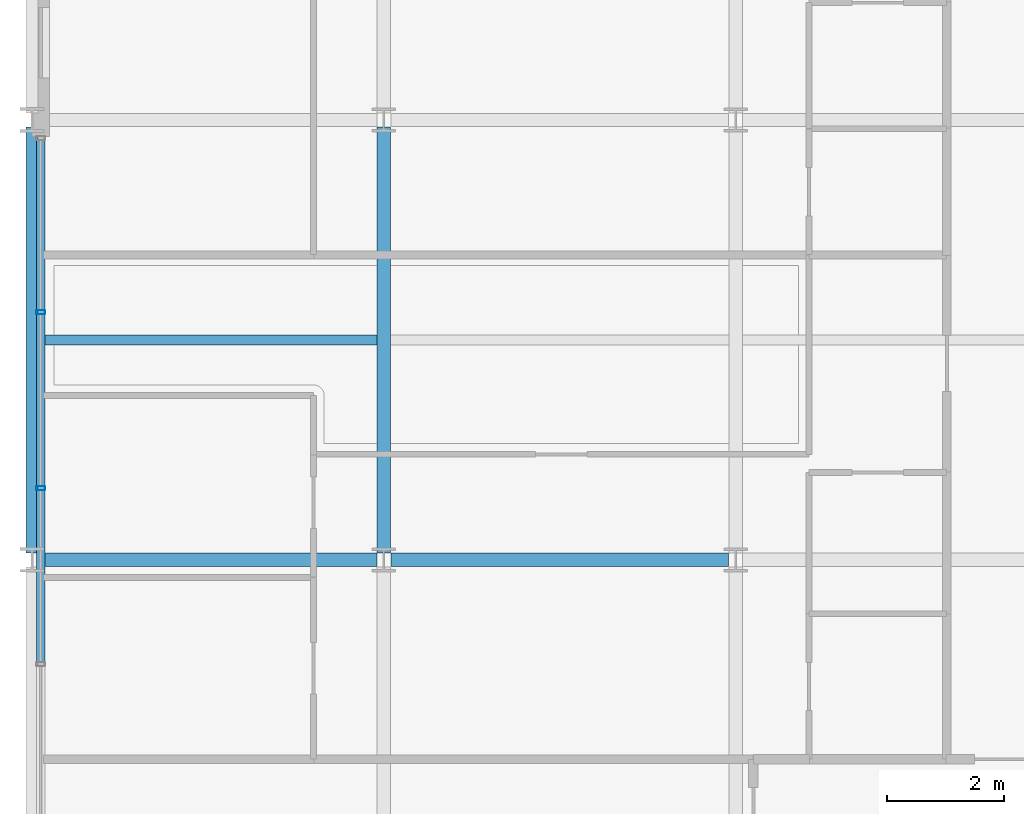
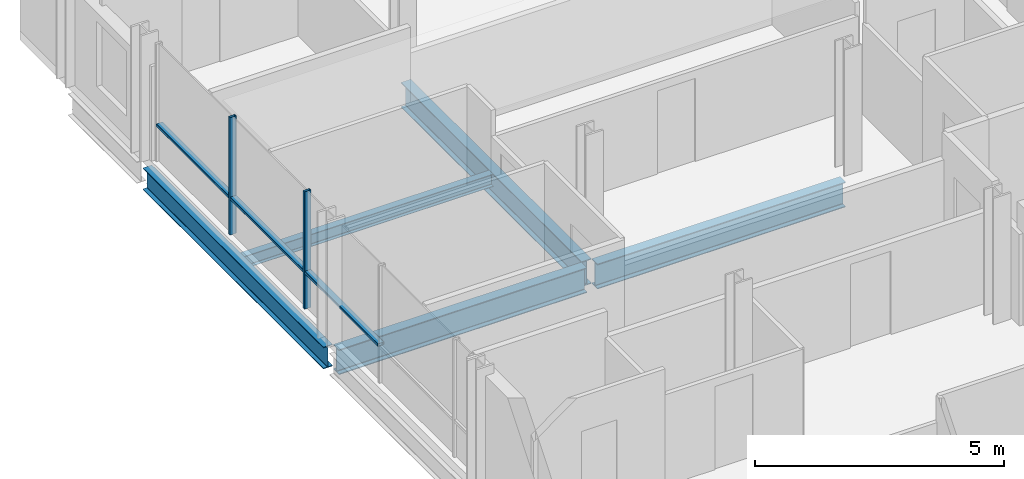
# One storey, part 7 of 41: 5 beams, 5 members, 1 element without a shape of its own.
"""IFC4 building model written with IfcOpenShell, lengths in metres."""

from ifc_helpers import new_model, si_unit, direction, frame, origin, origin_2d, place, context, subcontext, project, spatial, hollow_rectangle, i_section, extrude, material, layer, layer_set, material_profile, profile_set, type_object, element, aggregate, save


model = new_model("IFC4")

# Units and contexts
model_context = context("Model", 3, precision=1e-05, world=origin(), true_north=direction((0.0, 1.0)))
body_context = subcontext(model_context, "Body", "Model", "MODEL_VIEW")
ifc_project = project(units=[si_unit("LENGTHUNIT", "METRE"), si_unit("AREAUNIT", "SQUARE_METRE"), si_unit("VOLUMEUNIT", "CUBIC_METRE"), si_unit("PLANEANGLEUNIT", "RADIAN"), si_unit("MASSUNIT", "GRAM", prefix="KILO")], contexts=[model_context])

# Site, building, storey
site_placement = place(None, origin())
site = spatial("IfcSite", under=ifc_project, at=site_placement, CompositionType="ELEMENT")
building_placement = place(site_placement, origin())
building = spatial("IfcBuilding", under=site, at=building_placement, Name="Brevholm Reach", CompositionType="ELEMENT")
storey_placement = place(building_placement, frame((0.0, 0.0, 163.5)))
storey = spatial("IfcBuildingStorey", under=building, at=storey_placement, Name="L49", CompositionType="ELEMENT", Elevation=163.5)

# Beams
ifc_material_1 = material(Name="Structural Steel S355J2", Category="steel")
ifc_material_profile_1 = material_profile(ifc_material_1, i_section(OverallWidth=0.1650390625, OverallDepth=0.303466796875, WebThickness=0.006103515625, FlangeThickness=0.01025390625, FilletRadius=0.0087890625, at=origin_2d()), Name="UKB 305x165x40")
ifc_profile_set_1 = profile_set([ifc_material_profile_1], Name="Structural Steel S355J2")
beam_type_1 = type_object("IfcBeamType", Name="BM-B305", PredefinedType="BEAM", material=ifc_profile_set_1)
beam_1_placement = place(storey_placement, frame((0.104736328125, 19.75, -0.37158203125), z_axis=(1.0, 0.0, 0.0), x_axis=(0.0, 1.0, 0.0)))
element("IfcBeam", 1, at=beam_1_placement, inside=storey, type_object=beam_type_1, Name="L49 Composite Secondary Floor Beam", PredefinedType="BEAM", context=body_context, shape_type="SweptSolid", body=[
    extrude(i_section(OverallWidth=0.1650390625, OverallDepth=0.303466796875, WebThickness=0.006103515625, FlangeThickness=0.01025390625, FilletRadius=0.0087890625, at=origin_2d()), origin(), (0.0, 0.0, 1.0), 5.78076171875),
])
ifc_material_2 = material(Name="Structural Steel S355J2", Category="steel")
ifc_material_profile_2 = material_profile(ifc_material_2, i_section(OverallWidth=0.209228515625, OverallDepth=0.533203125, WebThickness=0.010009765625, FlangeThickness=0.015625, FilletRadius=0.0126953125, at=origin_2d()), Name="UKB 533x210x92")
ifc_profile_set_2 = profile_set([ifc_material_profile_2], Name="Structural Steel S355J2")
beam_type_2 = type_object("IfcBeamType", Name="BM-SP533", PredefinedType="SPANDREL", material=ifc_profile_set_2)
beam_2_placement = place(storey_placement, frame((0.0, 16.1201171875, -0.486572265625), z_axis=(0.0, 1.0, 0.0), x_axis=(-1.0, 0.0, 0.0)))
element("IfcBeam", 2, at=beam_2_placement, inside=storey, type_object=beam_type_2, Name="L49 SP-02 Framing Beam", PredefinedType="SPANDREL", context=body_context, shape_type="SweptSolid", body=[
    extrude(i_section(OverallWidth=0.209228515625, OverallDepth=0.533203125, WebThickness=0.010009765625, FlangeThickness=0.015625, FilletRadius=0.0126953125, at=origin_2d()), origin(), (0.0, 0.0, 1.0), 7.259765625),
])
ifc_material_3 = material(Name="Structural Steel S355J2", Category="steel")
ifc_material_profile_3 = material_profile(ifc_material_3, i_section(OverallWidth=0.22900390625, OverallDepth=0.6123046875, WebThickness=0.011962890625, FlangeThickness=0.01953125, FilletRadius=0.0126953125, at=origin_2d()), Name="UKB 610x229x125")
ifc_profile_set_3 = profile_set([ifc_material_profile_3], Name="Structural Steel S355J2")
beam_type_3 = type_object("IfcBeamType", Name="BM-SP610", PredefinedType="SPANDREL", material=ifc_profile_set_3)
for number, where, z_axis, x_axis, name in (
    (3, (0.1201171875, 16.0, -0.526123046875), (1.0, 0.0, 0.0), (0.0, 1.0, 0.0), "L49 SP-01 Framing Beam"),
    (4, (6.1201171875, 16.0, -0.526123046875), (1.0, 0.0, 0.0), (0.0, 1.0, 0.0), "L49 SP-01 Framing Beam"),
):
    element("IfcBeam", number, at=place(storey_placement, frame(where, z_axis=z_axis, x_axis=x_axis)), inside=storey, type_object=beam_type_3, Name=name, PredefinedType="SPANDREL", context=body_context, shape_type="SweptSolid", body=[
        extrude(i_section(OverallWidth=0.22900390625, OverallDepth=0.6123046875, WebThickness=0.011962890625, FlangeThickness=0.01953125, FilletRadius=0.0126953125, at=origin_2d()), origin(), (0.0, 0.0, 1.0), 5.759765625),
    ])
beam_3_placement = place(storey_placement, frame((6.0, 16.1201171875, -0.526123046875), z_axis=(0.0, 1.0, 0.0), x_axis=(-1.0, 0.0, 0.0)))
element("IfcBeam", 5, at=beam_3_placement, inside=storey, type_object=beam_type_3, Name="L49 SP-01 Framing Beam", PredefinedType="SPANDREL", context=body_context, shape_type="SweptSolid", body=[
    extrude(i_section(OverallWidth=0.22900390625, OverallDepth=0.6123046875, WebThickness=0.011962890625, FlangeThickness=0.01953125, FilletRadius=0.0126953125, at=origin_2d()), origin(), (0.0, 0.0, 1.0), 7.259765625),
])

# Curtain wall, members
ifc_material_4 = material(Name="Dark Anodised Aluminium 6063-T6 and Solar-Control Glass", Category="aluminium")
ifc_layer = layer(ifc_material_4, 0.14990234375)
ifc_layer_set = layer_set([ifc_layer], Name="Dark Anodised Aluminium 6063-T6 and Solar-Control Glass")
curtain_wall_type = type_object("IfcCurtainWallType", Name="CW-01", PredefinedType="NOTDEFINED", material=ifc_layer_set)
curtain_wall_placement = place(storey_placement, origin())
curtain_wall = element("IfcCurtainWall", 6, at=curtain_wall_placement, inside=storey, type_object=curtain_wall_type, Name="L49 Curtain Wall CW-01", PredefinedType="NOTDEFINED")
ifc_material_5 = material(Name="Dark Anodised Aluminium 6063-T6", Category="aluminium")
ifc_material_profile_4 = material_profile(ifc_material_5, hollow_rectangle(XDim=0.06494140625, YDim=0.14990234375, WallThickness=0.0048828125, InnerFilletRadius=0.0048828125, OuterFilletRadius=0.010009765625, at=origin_2d()), Name="RHS 150x65x5")
ifc_profile_set_4 = profile_set([ifc_material_profile_4], Name="Dark Anodised Aluminium 6063-T6")
member_type_1 = type_object("IfcMemberType", Name="CWM-150", PredefinedType="MULLION", material=ifc_profile_set_4)
member_1_placement = place(storey_placement, frame((0.14990234375, 20.219970703125, 0.0), z_axis=(0.0, 0.0, 1.0), x_axis=(0.0, -1.0, 0.0)))
member_1 = element("IfcMember", 7, at=member_1_placement, type_object=member_type_1, Name="CM-150 Mullion 2", PredefinedType="MULLION", context=body_context, shape_type="SweptSolid", body=[
    extrude(hollow_rectangle(XDim=0.06494140625, YDim=0.14990234375, WallThickness=0.0048828125, InnerFilletRadius=0.0048828125, OuterFilletRadius=0.010009765625, at=origin_2d()), origin(), (0.0, 0.0, 1.0), 2.8798828125),
])
member_2_placement = place(storey_placement, frame((0.14990234375, 17.219970703125, 0.0), z_axis=(0.0, 0.0, 1.0), x_axis=(0.0, -1.0, 0.0)))
member_2 = element("IfcMember", 8, at=member_2_placement, type_object=member_type_1, Name="CM-150 Mullion 3", PredefinedType="MULLION", context=body_context, shape_type="SweptSolid", body=[
    extrude(hollow_rectangle(XDim=0.06494140625, YDim=0.14990234375, WallThickness=0.0048828125, InnerFilletRadius=0.0048828125, OuterFilletRadius=0.010009765625, at=origin_2d()), origin(), (0.0, 0.0, 1.0), 2.8798828125),
])
ifc_material_6 = material(Name="Dark Anodised Aluminium 6063-T6", Category="aluminium")
ifc_material_profile_5 = material_profile(ifc_material_6, hollow_rectangle(XDim=0.06494140625, YDim=0.14990234375, WallThickness=0.0048828125, InnerFilletRadius=0.0048828125, OuterFilletRadius=0.010009765625, at=origin_2d()), Name="RHS 150x65x5")
ifc_profile_set_5 = profile_set([ifc_material_profile_5], Name="Dark Anodised Aluminium 6063-T6")
member_type_2 = type_object("IfcMemberType", Name="CWT-150", PredefinedType="NOTDEFINED", material=ifc_profile_set_5)
member_3_placement = place(storey_placement, frame((0.14990234375, 23.155029296875, 0.89990234375), z_axis=(0.0, -1.0, 0.0), x_axis=(0.0, 0.0, 1.0)))
member_3 = element("IfcMember", 9, at=member_3_placement, type_object=member_type_2, Name="CT-150 Transom 1.1", ObjectType="TRANSOM", PredefinedType="USERDEFINED", context=body_context, shape_type="SweptSolid", body=[
    extrude(hollow_rectangle(XDim=0.06494140625, YDim=0.14990234375, WallThickness=0.0048828125, InnerFilletRadius=0.0048828125, OuterFilletRadius=0.010009765625, at=origin_2d()), origin(), (0.0, 0.0, 1.0), 2.902587890625),
])
member_4_placement = place(storey_placement, frame((0.14990234375, 20.1875, 0.89990234375), z_axis=(0.0, -1.0, 0.0), x_axis=(0.0, 0.0, 1.0)))
member_4 = element("IfcMember", 10, at=member_4_placement, type_object=member_type_2, Name="CT-150 Transom 2.1", ObjectType="TRANSOM", PredefinedType="USERDEFINED", context=body_context, shape_type="SweptSolid", body=[
    extrude(hollow_rectangle(XDim=0.06494140625, YDim=0.14990234375, WallThickness=0.0048828125, InnerFilletRadius=0.0048828125, OuterFilletRadius=0.010009765625, at=origin_2d()), origin(), (0.0, 0.0, 1.0), 2.93505859375),
])
member_5_placement = place(storey_placement, frame((0.14990234375, 17.1875, 0.89990234375), z_axis=(0.0, -1.0, 0.0), x_axis=(0.0, 0.0, 1.0)))
member_5 = element("IfcMember", 11, at=member_5_placement, type_object=member_type_2, Name="CT-150 Transom 3.1", ObjectType="TRANSOM", PredefinedType="USERDEFINED", context=body_context, shape_type="SweptSolid", body=[
    extrude(hollow_rectangle(XDim=0.06494140625, YDim=0.14990234375, WallThickness=0.0048828125, InnerFilletRadius=0.0048828125, OuterFilletRadius=0.010009765625, at=origin_2d()), origin(), (0.0, 0.0, 1.0), 2.93505859375),
])
aggregate(curtain_wall, [member_1, member_2, member_3, member_4, member_5])

save(model, "model.ifc")
